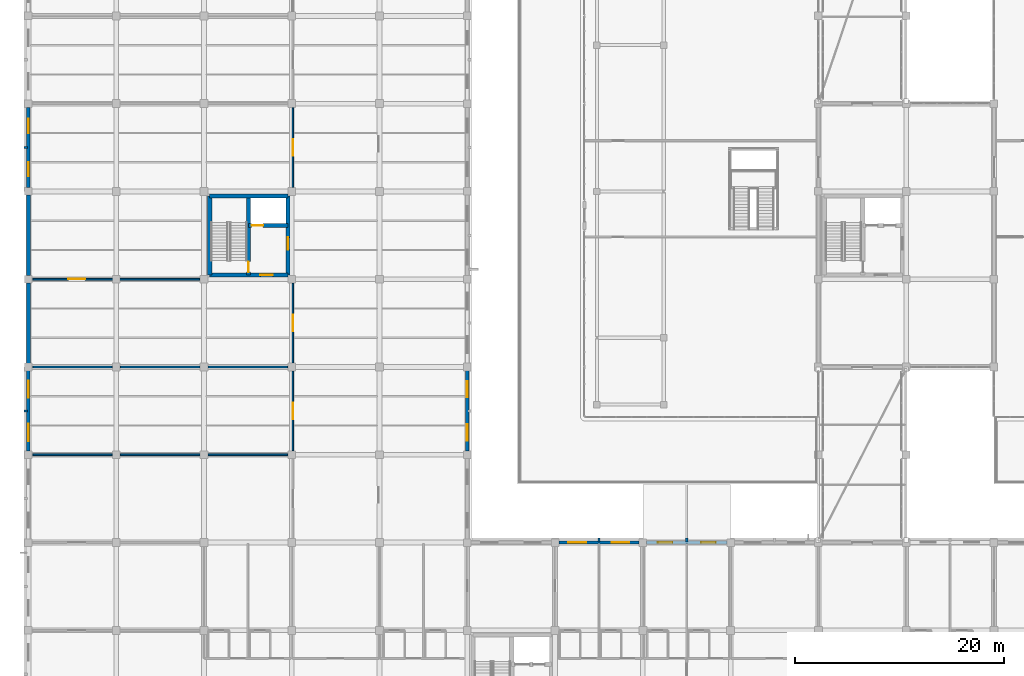
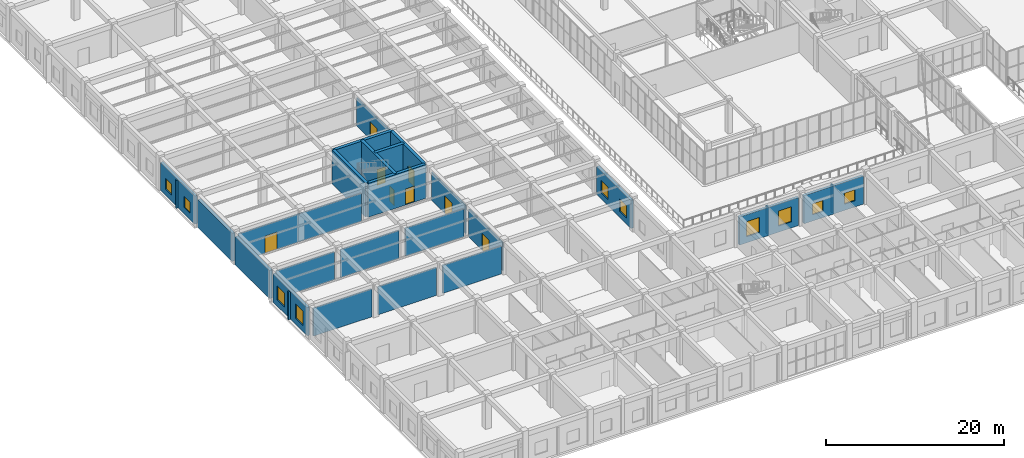
# One storey, part 118 of 158: 27 walls, 10 windows, 8 doors, 18 openings.
"""IFC4 building model written with IfcOpenShell, lengths in metres."""

from ifc_helpers import new_model, si_unit, direction, frame, frame_2d, origin, place, context, subcontext, project, spatial, rectangle, extrude, material, layer, layer_set, type_object, element, fill, save


model = new_model("IFC4")

# Units and contexts
model_context = context("Model", 3, precision=1e-05, world=origin(), true_north=direction((0.0, 1.0)))
body_context = subcontext(model_context, "Body", "Model", "MODEL_VIEW")
ifc_project = project(units=[si_unit("LENGTHUNIT", "METRE"), si_unit("AREAUNIT", "SQUARE_METRE"), si_unit("VOLUMEUNIT", "CUBIC_METRE"), si_unit("PLANEANGLEUNIT", "RADIAN"), si_unit("MASSUNIT", "GRAM", prefix="KILO")], contexts=[model_context])

# Site, building, storey
site_placement = place(None, origin())
site = spatial("IfcSite", under=ifc_project, at=site_placement, CompositionType="ELEMENT")
building_placement = place(site_placement, origin())
building = spatial("IfcBuilding", under=site, at=building_placement, Name="Trelvath General Hospital", CompositionType="ELEMENT")
storey_placement = place(building_placement, frame((0.0, 0.0, 8.10009765625)))
storey = spatial("IfcBuildingStorey", under=building, at=storey_placement, Name="L02", CompositionType="ELEMENT", Elevation=8.10009765625)

# Walls
ifc_material_1 = material(Name="Precast concrete C40/50", Category="concrete")
ifc_layer_1 = layer(ifc_material_1, 0.199951171875)
ifc_layer_set_1 = layer_set([ifc_layer_1], Name="Precast concrete C40/50")
wall_type_1 = type_object("IfcWallType", Name="BriseSoleilRib 200", PredefinedType="ELEMENTEDWALL", material=ifc_layer_set_1)
for number, where, z_axis, x_axis, name in (
    (1, (-0.074951171875, 37.800048828125, 0.0), (0.0, 0.0, 1.0), (-1.0, 0.0, 0.0), "Precast Concrete Brise-Soleil Rib Fin L02-164"),
    (2, (-0.074951171875, 63.0, 0.0), (0.0, 0.0, 1.0), (-1.0, 0.0, 0.0), "Precast Concrete Brise-Soleil Rib Fin L02-165"),
    (3, (54.60009765625, 25.27490234375, 0.0), (0.0, 0.0, 1.0), (0.0, 1.0, 0.0), "Precast Concrete Brise-Soleil Rib Fin L02-188"),
    (4, (63.0, 25.27490234375, 0.0), (0.0, 0.0, 1.0), (0.0, 1.0, 0.0), "Precast Concrete Brise-Soleil Rib Fin L02-192"),
):
    element("IfcWall", number, at=place(storey_placement, frame(where, z_axis=z_axis, x_axis=x_axis)), inside=storey, type_object=wall_type_1, Name=name, PredefinedType="ELEMENTEDWALL", context=body_context, shape_type="SweptSolid", body=[
        extrude(rectangle(XDim=0.340087890625, YDim=0.199951171875, at=frame_2d((0.169921875, 0.0))), origin(), (0.0, 0.0, 1.0), 3.83984375),
    ])

# Wall, opening, door
ifc_material_2 = material(Name="Gypsum acoustic steel-stud partition", Category="steel")
ifc_layer_2 = layer(ifc_material_2, 0.14990234375)
ifc_layer_set_2 = layer_set([ifc_layer_2], Name="Gypsum acoustic steel-stud partition")
wall_type_2 = type_object("IfcWallType", Name="ClinicalPartition 150", PredefinedType="PARTITIONING", material=ifc_layer_set_2)
wall_1_placement = place(storey_placement, frame((25.300048828125, 34.0, 0.0), z_axis=(0.0, 0.0, 1.0), x_axis=(0.0, 1.0, 0.0)))
wall_1 = element("IfcWall", 5, at=wall_1_placement, inside=storey, type_object=wall_type_2, Name="OR-4 Partition L02-1028", PredefinedType="PARTITIONING", context=body_context, shape_type="SweptSolid", body=[
    extrude(rectangle(XDim=7.60009765625, YDim=0.14990234375, at=frame_2d((3.800048828125, 0.0))), origin(), (0.0, 0.0, 1.0), 3.83984375),
])
opening_1_placement = place(wall_1_placement, frame((3.0, 0.0, 0.0)))
opening_1 = element("IfcOpeningElement", 6, at=opening_1_placement, cuts=wall_1, Name="Opening D-2-0799", PredefinedType="OPENING", context=body_context, shape_type="SweptSolid", body=[
    extrude(rectangle(XDim=1.60009765625, YDim=2.35009765625, at=frame_2d((0.800048828125, 1.175048828125))), frame((0.0, 0.0849609375, 0.0), z_axis=(0.0, -1.0, 0.0), x_axis=(1.0, 0.0, 0.0)), (0.0, 0.0, 1.0), 0.169921875),
])
ifc_material_3 = material(Name="Hermetic stainless surgical sliding door")
door_type_1 = type_object("IfcDoorType", Name="Door ORHermetic 1600x2350", OperationType="SLIDING_TO_LEFT", PredefinedType="DOOR", material=ifc_material_3)
door_1_placement = place(opening_1_placement, origin())
door_1 = element("IfcDoor", 7, at=door_1_placement, inside=storey, type_object=door_type_1, Name="OR-4 Door L02-799", OperationType="SLIDING_TO_LEFT", OverallHeight=2.35009765625, OverallWidth=1.60009765625, PredefinedType="DOOR", context=body_context, shape_type="SweptSolid", body=[
    extrude(rectangle(XDim=1.60009765625, YDim=2.35009765625, at=frame_2d((0.800048828125, 1.175048828125))), frame((0.0, 0.02490234375, 0.0), z_axis=(0.0, -1.0, 0.0), x_axis=(1.0, 0.0, 0.0)), (0.0, 0.0, 1.0), 0.050048828125),
])
fill(opening_1, door_1)

wall_2_placement = place(storey_placement, frame((25.300048828125, 42.39990234375, 0.0), z_axis=(0.0, 0.0, 1.0), x_axis=(0.0, 1.0, 0.0)))
wall_2 = element("IfcWall", 8, at=wall_2_placement, inside=storey, type_object=wall_type_2, Name="OR-5 Partition L02-1029", PredefinedType="PARTITIONING", context=body_context, shape_type="SweptSolid", body=[
    extrude(rectangle(XDim=7.60009765625, YDim=0.14990234375, at=frame_2d((3.800048828125, 0.0))), origin(), (0.0, 0.0, 1.0), 3.83984375),
])
opening_2_placement = place(wall_2_placement, frame((3.0, 0.0, 0.0)))
opening_2 = element("IfcOpeningElement", 9, at=opening_2_placement, cuts=wall_2, Name="Opening D-2-0800", PredefinedType="OPENING", context=body_context, shape_type="SweptSolid", body=[
    extrude(rectangle(XDim=1.60009765625, YDim=2.35009765625, at=frame_2d((0.800048828125, 1.175048828125))), frame((0.0, 0.0849609375, 0.0), z_axis=(0.0, -1.0, 0.0), x_axis=(1.0, 0.0, 0.0)), (0.0, 0.0, 1.0), 0.169921875),
])
door_2_placement = place(opening_2_placement, origin())
door_2 = element("IfcDoor", 10, at=door_2_placement, inside=storey, type_object=door_type_1, Name="OR-5 Door L02-800", OperationType="SLIDING_TO_LEFT", OverallHeight=2.35009765625, OverallWidth=1.60009765625, PredefinedType="DOOR", context=body_context, shape_type="SweptSolid", body=[
    extrude(rectangle(XDim=1.60009765625, YDim=2.35009765625, at=frame_2d((0.800048828125, 1.175048828125))), frame((0.0, 0.02490234375, 0.0), z_axis=(0.0, -1.0, 0.0), x_axis=(1.0, 0.0, 0.0)), (0.0, 0.0, 1.0), 0.050048828125),
])
fill(opening_2, door_2)

wall_3_placement = place(storey_placement, frame((0.419921875, 50.39990234375, 0.0), z_axis=(0.0, 0.0, 1.0), x_axis=(1.0, 0.0, 0.0)))
wall_3 = element("IfcWall", 11, at=wall_3_placement, inside=storey, type_object=wall_type_2, Name="OR-6 Partition L02-1030", PredefinedType="PARTITIONING", context=body_context, shape_type="SweptSolid", body=[
    extrude(rectangle(XDim=15.9599609375, YDim=0.14990234375, at=frame_2d((7.97998046875, 0.0))), origin(), (0.0, 0.0, 1.0), 3.83984375),
])
opening_3_placement = place(wall_3_placement, frame((3.39990234375, 0.0, 0.0)))
opening_3 = element("IfcOpeningElement", 12, at=opening_3_placement, cuts=wall_3, Name="Opening D-2-0801", PredefinedType="OPENING", context=body_context, shape_type="SweptSolid", body=[
    extrude(rectangle(XDim=1.60009765625, YDim=2.35009765625, at=frame_2d((0.800048828125, 1.175048828125))), frame((0.0, 0.0849609375, 0.0), z_axis=(0.0, -1.0, 0.0), x_axis=(1.0, 0.0, 0.0)), (0.0, 0.0, 1.0), 0.169921875),
])
door_3_placement = place(opening_3_placement, origin())
door_3 = element("IfcDoor", 13, at=door_3_placement, inside=storey, type_object=door_type_1, Name="OR-6 Door L02-801", OperationType="SLIDING_TO_LEFT", OverallHeight=2.35009765625, OverallWidth=1.60009765625, PredefinedType="DOOR", context=body_context, shape_type="SweptSolid", body=[
    extrude(rectangle(XDim=1.60009765625, YDim=2.35009765625, at=frame_2d((0.800048828125, 1.175048828125))), frame((0.0, 0.02490234375, 0.0), z_axis=(0.0, -1.0, 0.0), x_axis=(1.0, 0.0, 0.0)), (0.0, 0.0, 1.0), 0.050048828125),
])
fill(opening_3, door_3)

wall_4_placement = place(storey_placement, frame((25.300048828125, 59.199951171875, 0.0), z_axis=(0.0, 0.0, 1.0), x_axis=(0.0, 1.0, 0.0)))
wall_4 = element("IfcWall", 14, at=wall_4_placement, inside=storey, type_object=wall_type_2, Name="OR-7 Partition L02-1031", PredefinedType="PARTITIONING", context=body_context, shape_type="SweptSolid", body=[
    extrude(rectangle(XDim=7.60009765625, YDim=0.14990234375, at=frame_2d((3.800048828125, 0.0))), origin(), (0.0, 0.0, 1.0), 3.83984375),
])
opening_4_placement = place(wall_4_placement, frame((3.0, 0.0, 0.0)))
opening_4 = element("IfcOpeningElement", 15, at=opening_4_placement, cuts=wall_4, Name="Opening D-2-0802", PredefinedType="OPENING", context=body_context, shape_type="SweptSolid", body=[
    extrude(rectangle(XDim=1.60009765625, YDim=2.35009765625, at=frame_2d((0.800048828125, 1.175048828125))), frame((0.0, 0.0849609375, 0.0), z_axis=(0.0, -1.0, 0.0), x_axis=(1.0, 0.0, 0.0)), (0.0, 0.0, 1.0), 0.169921875),
])
door_4_placement = place(opening_4_placement, origin())
door_4 = element("IfcDoor", 16, at=door_4_placement, inside=storey, type_object=door_type_1, Name="OR-7 Door L02-802", OperationType="SLIDING_TO_LEFT", OverallHeight=2.35009765625, OverallWidth=1.60009765625, PredefinedType="DOOR", context=body_context, shape_type="SweptSolid", body=[
    extrude(rectangle(XDim=1.60009765625, YDim=2.35009765625, at=frame_2d((0.800048828125, 1.175048828125))), frame((0.0, 0.02490234375, 0.0), z_axis=(0.0, -1.0, 0.0), x_axis=(1.0, 0.0, 0.0)), (0.0, 0.0, 1.0), 0.050048828125),
])
fill(opening_4, door_4)

# Walls
wall_5_placement = place(storey_placement, frame((0.419921875, 33.60009765625, 0.0), z_axis=(0.0, 0.0, 1.0), x_axis=(1.0, 0.0, 0.0)))
element("IfcWall", 17, at=wall_5_placement, inside=storey, type_object=wall_type_2, Name="Sterile OR Dividing Partition 1033", PredefinedType="PARTITIONING", context=body_context, shape_type="SweptSolid", body=[
    extrude(rectangle(XDim=7.580078125, YDim=0.14990234375, at=frame_2d((3.7900390625, 0.0))), origin(), (0.0, 0.0, 1.0), 3.83984375),
])
wall_6_placement = place(storey_placement, frame((8.800048828125, 33.60009765625, 0.0), z_axis=(0.0, 0.0, 1.0), x_axis=(1.0, 0.0, 0.0)))
element("IfcWall", 18, at=wall_6_placement, inside=storey, type_object=wall_type_2, Name="Sterile OR Dividing Partition 1034", PredefinedType="PARTITIONING", context=body_context, shape_type="SweptSolid", body=[
    extrude(rectangle(XDim=7.599853515625, YDim=0.14990234375, at=frame_2d((3.7998046875, 0.0))), origin(), (0.0, 0.0, 1.0), 3.83984375),
])
wall_7_placement = place(storey_placement, frame((17.199951171875, 33.60009765625, 0.0), z_axis=(0.0, 0.0, 1.0), x_axis=(1.0, 0.0, 0.0)))
element("IfcWall", 19, at=wall_7_placement, inside=storey, type_object=wall_type_2, Name="Sterile OR Dividing Partition 1035", PredefinedType="PARTITIONING", context=body_context, shape_type="SweptSolid", body=[
    extrude(rectangle(XDim=7.60009765625, YDim=0.14990234375, at=frame_2d((3.800048828125, 0.0))), origin(), (0.0, 0.0, 1.0), 3.83984375),
])
wall_8_placement = place(storey_placement, frame((0.419921875, 42.0, 0.0), z_axis=(0.0, 0.0, 1.0), x_axis=(1.0, 0.0, 0.0)))
element("IfcWall", 20, at=wall_8_placement, inside=storey, type_object=wall_type_2, Name="Sterile OR Dividing Partition 1036", PredefinedType="PARTITIONING", context=body_context, shape_type="SweptSolid", body=[
    extrude(rectangle(XDim=7.580078125, YDim=0.14990234375, at=frame_2d((3.7900390625, 0.0))), origin(), (0.0, 0.0, 1.0), 3.83984375),
])
wall_9_placement = place(storey_placement, frame((8.800048828125, 42.0, 0.0), z_axis=(0.0, 0.0, 1.0), x_axis=(1.0, 0.0, 0.0)))
element("IfcWall", 21, at=wall_9_placement, inside=storey, type_object=wall_type_2, Name="Sterile OR Dividing Partition 1037", PredefinedType="PARTITIONING", context=body_context, shape_type="SweptSolid", body=[
    extrude(rectangle(XDim=7.599853515625, YDim=0.14990234375, at=frame_2d((3.7998046875, 0.0))), origin(), (0.0, 0.0, 1.0), 3.83984375),
])
wall_10_placement = place(storey_placement, frame((17.199951171875, 42.0, 0.0), z_axis=(0.0, 0.0, 1.0), x_axis=(1.0, 0.0, 0.0)))
element("IfcWall", 22, at=wall_10_placement, inside=storey, type_object=wall_type_2, Name="Sterile OR Dividing Partition 1038", PredefinedType="PARTITIONING", context=body_context, shape_type="SweptSolid", body=[
    extrude(rectangle(XDim=7.60009765625, YDim=0.14990234375, at=frame_2d((3.800048828125, 0.0))), origin(), (0.0, 0.0, 1.0), 3.83984375),
])

# Wall, opening, door
ifc_material_4 = material(Name="Concrete C40/50", Category="concrete")
ifc_layer_3 = layer(ifc_material_4, 0.39990234375)
ifc_layer_set_3 = layer_set([ifc_layer_3], Name="Concrete C40/50")
wall_type_3 = type_object("IfcWallType", Name="CoreShearWall 400", PredefinedType="SHEAR", material=ifc_layer_set_3)
wall_11_placement = place(storey_placement, frame((17.35009765625, 50.800048828125, 0.0), z_axis=(0.0, 0.0, 1.0), x_axis=(1.0, 0.0, 0.0)))
wall_11 = element("IfcWall", 23, at=wall_11_placement, inside=storey, type_object=wall_type_3, Name="Core Shear Wall C8 S L02", PredefinedType="SHEAR", context=body_context, shape_type="SweptSolid", body=[
    extrude(rectangle(XDim=7.5, YDim=0.39990234375, at=frame_2d((3.75, 0.0))), origin(), (0.0, 0.0, 1.0), 4.639892578125),
])
opening_5_placement = place(wall_11_placement, frame((4.85009765625, 0.0, 0.0)))
opening_5 = element("IfcOpeningElement", 24, at=opening_5_placement, cuts=wall_11, Name="Opening FD-LS82", PredefinedType="OPENING", context=body_context, shape_type="SweptSolid", body=[
    extrude(rectangle(XDim=1.199951171875, YDim=2.199951171875, at=frame_2d((0.60009765625, 1.10009765625))), frame((0.0, 0.2099609375, 0.0), z_axis=(0.0, -1.0, 0.0), x_axis=(1.0, 0.0, 0.0)), (0.0, 0.0, 1.0), 0.419921875),
])
ifc_material_5 = material(Name="Fire-rated steel door", Category="steel")
door_type_2 = type_object("IfcDoorType", Name="Door FireLobby 1200x2200", OperationType="NOTDEFINED", PredefinedType="DOOR", material=ifc_material_5)
door_5_placement = place(opening_5_placement, origin())
door_5 = element("IfcDoor", 25, at=door_5_placement, inside=storey, type_object=door_type_2, Name="Fire Lobby South Concourse Door C8 L02", OperationType="SINGLE_SWING_LEFT", OverallHeight=2.199951171875, OverallWidth=1.199951171875, PredefinedType="DOOR", context=body_context, shape_type="SweptSolid", body=[
    extrude(rectangle(XDim=1.199951171875, YDim=2.199951171875, at=frame_2d((0.60009765625, 1.10009765625))), frame((0.0, 0.02490234375, 0.0), z_axis=(0.0, -1.0, 0.0), x_axis=(1.0, 0.0, 0.0)), (0.0, 0.0, 1.0), 0.050048828125),
])
fill(opening_5, door_5)

# Walls
wall_12_placement = place(storey_placement, frame((17.35009765625, 58.35009765625, 0.0), z_axis=(0.0, 0.0, 1.0), x_axis=(1.0, 0.0, 0.0)))
element("IfcWall", 26, at=wall_12_placement, inside=storey, type_object=wall_type_3, Name="Core Shear Wall C8 N L02", PredefinedType="SHEAR", context=body_context, shape_type="SweptSolid", body=[
    extrude(rectangle(XDim=7.5, YDim=0.39990234375, at=frame_2d((3.75, 0.0))), origin(), (0.0, 0.0, 1.0), 4.639892578125),
])
wall_13_placement = place(storey_placement, frame((17.35009765625, 50.800048828125, 0.0), z_axis=(0.0, 0.0, 1.0), x_axis=(0.0, 1.0, 0.0)))
element("IfcWall", 27, at=wall_13_placement, inside=storey, type_object=wall_type_3, Name="Core Shear Wall C8 W L02", PredefinedType="SHEAR", context=body_context, shape_type="SweptSolid", body=[
    extrude(rectangle(XDim=7.550048828125, YDim=0.39990234375, at=frame_2d((3.77490234375, 0.0))), origin(), (0.0, 0.0, 1.0), 4.639892578125),
])

# Wall, opening, door
wall_14_placement = place(storey_placement, frame((24.85009765625, 50.800048828125, 0.0), z_axis=(0.0, 0.0, 1.0), x_axis=(0.0, 1.0, 0.0)))
wall_14 = element("IfcWall", 28, at=wall_14_placement, inside=storey, type_object=wall_type_3, Name="Core Shear Wall C8 E L02", PredefinedType="SHEAR", context=body_context, shape_type="SweptSolid", body=[
    extrude(rectangle(XDim=7.550048828125, YDim=0.39990234375, at=frame_2d((3.77490234375, 0.0))), origin(), (0.0, 0.0, 1.0), 4.639892578125),
])
opening_6_placement = place(wall_14_placement, frame((2.39990234375, 0.0, 0.0)))
opening_6 = element("IfcOpeningElement", 29, at=opening_6_placement, cuts=wall_14, Name="Opening FD-LE82", PredefinedType="OPENING", context=body_context, shape_type="SweptSolid", body=[
    extrude(rectangle(XDim=1.199951171875, YDim=2.199951171875, at=frame_2d((0.60009765625, 1.10009765625))), frame((0.0, 0.2099609375, 0.0), z_axis=(0.0, -1.0, 0.0), x_axis=(1.0, 0.0, 0.0)), (0.0, 0.0, 1.0), 0.419921875),
])
door_6_placement = place(opening_6_placement, origin())
door_6 = element("IfcDoor", 30, at=door_6_placement, inside=storey, type_object=door_type_2, Name="Fire Lobby East Corridor Door C8 L02", OperationType="SINGLE_SWING_RIGHT", OverallHeight=2.199951171875, OverallWidth=1.199951171875, PredefinedType="DOOR", context=body_context, shape_type="SweptSolid", body=[
    extrude(rectangle(XDim=1.199951171875, YDim=2.199951171875, at=frame_2d((0.60009765625, 1.10009765625))), frame((0.0, 0.02490234375, 0.0), z_axis=(0.0, -1.0, 0.0), x_axis=(1.0, 0.0, 0.0)), (0.0, 0.0, 1.0), 0.050048828125),
])
fill(opening_6, door_6)

wall_15_placement = place(storey_placement, frame((21.050048828125, 50.800048828125, 0.0), z_axis=(0.0, 0.0, 1.0), x_axis=(0.0, 1.0, 0.0)))
wall_15 = element("IfcWall", 31, at=wall_15_placement, inside=storey, type_object=wall_type_3, Name="Core Shear Wall C8 SPINE L02", PredefinedType="SHEAR", context=body_context, shape_type="SweptSolid", body=[
    extrude(rectangle(XDim=7.550048828125, YDim=0.39990234375, at=frame_2d((3.77490234375, 0.0))), origin(), (0.0, 0.0, 1.0), 4.639892578125),
])
opening_7_placement = place(wall_15_placement, frame((0.280029296875, 0.0, 0.0)))
opening_7 = element("IfcOpeningElement", 32, at=opening_7_placement, cuts=wall_15, Name="Opening FD-S82", PredefinedType="OPENING", context=body_context, shape_type="SweptSolid", body=[
    extrude(rectangle(XDim=1.0, YDim=2.14990234375, at=frame_2d((0.5, 1.074951171875))), frame((0.0, 0.2099609375, 0.0), z_axis=(0.0, -1.0, 0.0), x_axis=(1.0, 0.0, 0.0)), (0.0, 0.0, 1.0), 0.419921875),
])
ifc_material_6 = material(Name="Fire-rated steel door", Category="steel")
door_type_3 = type_object("IfcDoorType", Name="Door FireStair 1100x2150", OperationType="NOTDEFINED", PredefinedType="DOOR", material=ifc_material_6)
door_7_placement = place(opening_7_placement, origin())
door_7 = element("IfcDoor", 33, at=door_7_placement, inside=storey, type_object=door_type_3, Name="Exit Stair Door ST8 L02", OperationType="SINGLE_SWING_RIGHT", OverallHeight=2.14990234375, OverallWidth=1.0, PredefinedType="DOOR", context=body_context, shape_type="SweptSolid", body=[
    extrude(rectangle(XDim=1.0, YDim=2.14990234375, at=frame_2d((0.5, 1.074951171875))), frame((0.0, 0.02490234375, 0.0), z_axis=(0.0, -1.0, 0.0), x_axis=(1.0, 0.0, 0.0)), (0.0, 0.0, 1.0), 0.050048828125),
])
fill(opening_7, door_7)

wall_16_placement = place(storey_placement, frame((21.050048828125, 55.550048828125, 0.0), z_axis=(0.0, 0.0, 1.0), x_axis=(1.0, 0.0, 0.0)))
wall_16 = element("IfcWall", 34, at=wall_16_placement, inside=storey, type_object=wall_type_3, Name="Core Shear Wall C8 SHAFT L02", PredefinedType="SHEAR", context=body_context, shape_type="SweptSolid", body=[
    extrude(rectangle(XDim=3.800048828125, YDim=0.39990234375, at=frame_2d((1.89990234375, 0.0))), origin(), (0.0, 0.0, 1.0), 4.639892578125),
])
opening_8_placement = place(wall_16_placement, frame((0.320068359375, 0.0, 0.0)))
opening_8 = element("IfcOpeningElement", 35, at=opening_8_placement, cuts=wall_16, Name="Opening LD-SL1-2", PredefinedType="OPENING", context=body_context, shape_type="SweptSolid", body=[
    extrude(rectangle(XDim=1.10009765625, YDim=2.14990234375, at=frame_2d((0.550048828125, 1.074951171875))), frame((0.0, 0.2099609375, 0.0), z_axis=(0.0, -1.0, 0.0), x_axis=(1.0, 0.0, 0.0)), (0.0, 0.0, 1.0), 0.419921875),
])
ifc_material_7 = material(Name="Stainless steel lift landing sliding door", Category="steel")
door_type_4 = type_object("IfcDoorType", Name="Door LiftLanding 1100x2150", OperationType="SLIDING_TO_LEFT", PredefinedType="DOOR", material=ifc_material_7)
door_8_placement = place(opening_8_placement, origin())
door_8 = element("IfcDoor", 36, at=door_8_placement, inside=storey, type_object=door_type_4, Name="Lift Landing Sliding Door LF-SL1 L02", OperationType="SLIDING_TO_LEFT", OverallHeight=2.14990234375, OverallWidth=1.10009765625, PredefinedType="DOOR", context=body_context, shape_type="SweptSolid", body=[
    extrude(rectangle(XDim=1.10009765625, YDim=2.14990234375, at=frame_2d((0.550048828125, 1.074951171875))), frame((0.0, 0.02490234375, 0.0), z_axis=(0.0, -1.0, 0.0), x_axis=(1.0, 0.0, 0.0)), (0.0, 0.0, 1.0), 0.050048828125),
])
fill(opening_8, door_8)

# Wall, openings, windows
ifc_material_8 = material(Name="Concrete C35/45", Category="concrete")
ifc_layer_4 = layer(ifc_material_8, 0.320068359375)
ifc_layer_set_4 = layer_set([ifc_layer_4], Name="Concrete C35/45")
wall_type_4 = type_object("IfcWallType", Name="ExtThermalWall 320", PredefinedType="SOLIDWALL", material=ifc_layer_set_4)
wall_17_placement = place(storey_placement, frame((0.0, 33.955078125, 0.0), z_axis=(0.0, 0.0, 1.0), x_axis=(0.0, 1.0, 0.0)))
wall_17 = element("IfcWall", 37, at=wall_17_placement, inside=storey, type_object=wall_type_4, Name="Exterior Concrete Wall L02-225", PredefinedType="SOLIDWALL", context=body_context, shape_type="SweptSolid", body=[
    extrude(rectangle(XDim=7.68994140625, YDim=0.320068359375, at=frame_2d((3.844970703125, 0.0))), origin(), (0.0, 0.0, 1.0), 3.85986328125),
])
opening_9_placement = place(wall_17_placement, frame((0.938720703125, 0.0, 0.85009765625)))
opening_9 = element("IfcOpeningElement", 38, at=opening_9_placement, cuts=wall_17, Name="Opening WN-2-351", PredefinedType="OPENING", context=body_context, shape_type="SweptSolid", body=[
    extrude(rectangle(XDim=1.659912109375, YDim=1.949951171875, at=frame_2d((0.830078125, 0.97509765625))), frame((0.0, 0.169921875, 0.0), z_axis=(0.0, -1.0, 0.0), x_axis=(1.0, 0.0, 0.0)), (0.0, 0.0, 1.0), 0.340087890625),
])
opening_10_placement = place(wall_17_placement, frame((5.09130859375, 0.0, 0.85009765625)))
opening_10 = element("IfcOpeningElement", 39, at=opening_10_placement, cuts=wall_17, Name="Opening WN-2-352", PredefinedType="OPENING", context=body_context, shape_type="SweptSolid", body=[
    extrude(rectangle(XDim=1.659912109375, YDim=1.949951171875, at=frame_2d((0.830078125, 0.97509765625))), frame((0.0, 0.169921875, 0.0), z_axis=(0.0, -1.0, 0.0), x_axis=(1.0, 0.0, 0.0)), (0.0, 0.0, 1.0), 0.340087890625),
])
ifc_material_9 = material(Name="Low-E laminated glass", Category="glass")
window_type_1 = type_object("IfcWindowType", Name="Window Dayroom 1660x1950", PartitioningType="DOUBLE_PANEL_VERTICAL", PredefinedType="WINDOW", material=ifc_material_9)
window_1_placement = place(opening_9_placement, origin())
window_1 = element("IfcWindow", 40, at=window_1_placement, inside=storey, type_object=window_type_1, Name="Solar Reveal Window L02-351", OverallHeight=1.949951171875, OverallWidth=1.659912109375, PartitioningType="SINGLE_PANEL", PredefinedType="WINDOW", context=body_context, shape_type="SweptSolid", body=[
    extrude(rectangle(XDim=1.659912109375, YDim=1.949951171875, at=frame_2d((0.830078125, 0.97509765625))), frame((0.0, 0.030029296875, 0.0), z_axis=(0.0, -1.0, 0.0), x_axis=(1.0, 0.0, 0.0)), (0.0, 0.0, 1.0), 0.06005859375),
])
fill(opening_9, window_1)
window_2_placement = place(opening_10_placement, origin())
window_2 = element("IfcWindow", 41, at=window_2_placement, inside=storey, type_object=window_type_1, Name="Solar Reveal Window L02-352", OverallHeight=1.949951171875, OverallWidth=1.659912109375, PartitioningType="SINGLE_PANEL", PredefinedType="WINDOW", context=body_context, shape_type="SweptSolid", body=[
    extrude(rectangle(XDim=1.659912109375, YDim=1.949951171875, at=frame_2d((0.830078125, 0.97509765625))), frame((0.0, 0.030029296875, 0.0), z_axis=(0.0, -1.0, 0.0), x_axis=(1.0, 0.0, 0.0)), (0.0, 0.0, 1.0), 0.06005859375),
])
fill(opening_10, window_2)

wall_18_placement = place(storey_placement, frame((0.0, 59.155029296875, 0.0), z_axis=(0.0, 0.0, 1.0), x_axis=(0.0, 1.0, 0.0)))
wall_18 = element("IfcWall", 42, at=wall_18_placement, inside=storey, type_object=wall_type_4, Name="Exterior Concrete Wall L02-228", PredefinedType="SOLIDWALL", context=body_context, shape_type="SweptSolid", body=[
    extrude(rectangle(XDim=7.68994140625, YDim=0.320068359375, at=frame_2d((3.844970703125, 0.0))), origin(), (0.0, 0.0, 1.0), 3.85986328125),
])
opening_11_placement = place(wall_18_placement, frame((1.07861328125, 0.0, 0.85009765625)))
opening_11 = element("IfcOpeningElement", 43, at=opening_11_placement, cuts=wall_18, Name="Opening WN-2-353", PredefinedType="OPENING", context=body_context, shape_type="SweptSolid", body=[
    extrude(rectangle(XDim=1.3798828125, YDim=1.5, at=frame_2d((0.68994140625, 0.75))), frame((0.0, 0.169921875, 0.0), z_axis=(0.0, -1.0, 0.0), x_axis=(1.0, 0.0, 0.0)), (0.0, 0.0, 1.0), 0.340087890625),
])
opening_12_placement = place(wall_18_placement, frame((5.231201171875, 0.0, 0.85009765625)))
opening_12 = element("IfcOpeningElement", 44, at=opening_12_placement, cuts=wall_18, Name="Opening WN-2-354", PredefinedType="OPENING", context=body_context, shape_type="SweptSolid", body=[
    extrude(rectangle(XDim=1.3798828125, YDim=1.5, at=frame_2d((0.68994140625, 0.75))), frame((0.0, 0.169921875, 0.0), z_axis=(0.0, -1.0, 0.0), x_axis=(1.0, 0.0, 0.0)), (0.0, 0.0, 1.0), 0.340087890625),
])
ifc_material_10 = material(Name="Low-E laminated glass", Category="glass")
window_type_2 = type_object("IfcWindowType", Name="Window Admin 1380x1500", PartitioningType="SINGLE_PANEL", PredefinedType="WINDOW", material=ifc_material_10)
window_3_placement = place(opening_11_placement, origin())
window_3 = element("IfcWindow", 45, at=window_3_placement, inside=storey, type_object=window_type_2, Name="Solar Reveal Window L02-353", OverallHeight=1.5, OverallWidth=1.3798828125, PartitioningType="SINGLE_PANEL", PredefinedType="WINDOW", context=body_context, shape_type="SweptSolid", body=[
    extrude(rectangle(XDim=1.3798828125, YDim=1.5, at=frame_2d((0.68994140625, 0.75))), frame((0.0, 0.030029296875, 0.0), z_axis=(0.0, -1.0, 0.0), x_axis=(1.0, 0.0, 0.0)), (0.0, 0.0, 1.0), 0.06005859375),
])
fill(opening_11, window_3)
window_4_placement = place(opening_12_placement, origin())
window_4 = element("IfcWindow", 46, at=window_4_placement, inside=storey, type_object=window_type_2, Name="Solar Reveal Window L02-354", OverallHeight=1.5, OverallWidth=1.3798828125, PartitioningType="SINGLE_PANEL", PredefinedType="WINDOW", context=body_context, shape_type="SweptSolid", body=[
    extrude(rectangle(XDim=1.3798828125, YDim=1.5, at=frame_2d((0.68994140625, 0.75))), frame((0.0, 0.030029296875, 0.0), z_axis=(0.0, -1.0, 0.0), x_axis=(1.0, 0.0, 0.0)), (0.0, 0.0, 1.0), 0.06005859375),
])
fill(opening_12, window_4)

wall_19_placement = place(storey_placement, frame((42.0, 41.64501953125, 0.0), z_axis=(0.0, 0.0, 1.0), x_axis=(0.0, -1.0, 0.0)))
wall_19 = element("IfcWall", 47, at=wall_19_placement, inside=storey, type_object=wall_type_4, Name="Exterior Concrete Wall L02-244", PredefinedType="SOLIDWALL", context=body_context, shape_type="SweptSolid", body=[
    extrude(rectangle(XDim=7.68994140625, YDim=0.320068359375, at=frame_2d((3.844970703125, 0.0))), origin(), (0.0, 0.0, 1.0), 3.85986328125),
])
opening_13_placement = place(wall_19_placement, frame((0.98876953125, 0.0, 0.85009765625)))
opening_13 = element("IfcOpeningElement", 48, at=opening_13_placement, cuts=wall_19, Name="Opening WN-2-385", PredefinedType="OPENING", context=body_context, shape_type="SweptSolid", body=[
    extrude(rectangle(XDim=1.56005859375, YDim=1.699951171875, at=frame_2d((0.780029296875, 0.85009765625))), frame((0.0, 0.169921875, 0.0), z_axis=(0.0, -1.0, 0.0), x_axis=(1.0, 0.0, 0.0)), (0.0, 0.0, 1.0), 0.340087890625),
])
opening_14_placement = place(wall_19_placement, frame((5.141357421875, 0.0, 0.85009765625)))
opening_14 = element("IfcOpeningElement", 49, at=opening_14_placement, cuts=wall_19, Name="Opening WN-2-386", PredefinedType="OPENING", context=body_context, shape_type="SweptSolid", body=[
    extrude(rectangle(XDim=1.56005859375, YDim=1.699951171875, at=frame_2d((0.780029296875, 0.85009765625))), frame((0.0, 0.169921875, 0.0), z_axis=(0.0, -1.0, 0.0), x_axis=(1.0, 0.0, 0.0)), (0.0, 0.0, 1.0), 0.340087890625),
])
ifc_material_11 = material(Name="Low-E laminated glass", Category="glass")
window_type_3 = type_object("IfcWindowType", Name="Window Dialysis 1560x1700", PartitioningType="DOUBLE_PANEL_VERTICAL", PredefinedType="WINDOW", material=ifc_material_11)
window_5_placement = place(opening_13_placement, origin())
window_5 = element("IfcWindow", 50, at=window_5_placement, inside=storey, type_object=window_type_3, Name="Solar Reveal Window L02-385", OverallHeight=1.699951171875, OverallWidth=1.56005859375, PartitioningType="SINGLE_PANEL", PredefinedType="WINDOW", context=body_context, shape_type="SweptSolid", body=[
    extrude(rectangle(XDim=1.56005859375, YDim=1.699951171875, at=frame_2d((0.780029296875, 0.85009765625))), frame((0.0, 0.030029296875, 0.0), z_axis=(0.0, -1.0, 0.0), x_axis=(1.0, 0.0, 0.0)), (0.0, 0.0, 1.0), 0.06005859375),
])
fill(opening_13, window_5)
window_6_placement = place(opening_14_placement, origin())
window_6 = element("IfcWindow", 51, at=window_6_placement, inside=storey, type_object=window_type_3, Name="Solar Reveal Window L02-386", OverallHeight=1.699951171875, OverallWidth=1.56005859375, PartitioningType="SINGLE_PANEL", PredefinedType="WINDOW", context=body_context, shape_type="SweptSolid", body=[
    extrude(rectangle(XDim=1.56005859375, YDim=1.699951171875, at=frame_2d((0.780029296875, 0.85009765625))), frame((0.0, 0.030029296875, 0.0), z_axis=(0.0, -1.0, 0.0), x_axis=(1.0, 0.0, 0.0)), (0.0, 0.0, 1.0), 0.06005859375),
])
fill(opening_14, window_6)

wall_20_placement = place(storey_placement, frame((50.7548828125, 25.199951171875, 0.0), z_axis=(0.0, 0.0, 1.0), x_axis=(1.0, 0.0, 0.0)))
wall_20 = element("IfcWall", 52, at=wall_20_placement, inside=storey, type_object=wall_type_4, Name="Exterior Concrete Wall L02-255", PredefinedType="SOLIDWALL", context=body_context, shape_type="SweptSolid", body=[
    extrude(rectangle(XDim=7.690185546875, YDim=0.320068359375, at=frame_2d((3.84521484375, 0.0))), origin(), (0.0, 0.0, 1.0), 3.85986328125),
])
opening_15_placement = place(wall_20_placement, frame((0.9287109375, 0.0, 0.85009765625)))
opening_15 = element("IfcOpeningElement", 53, at=opening_15_placement, cuts=wall_20, Name="Opening WN-2-407", PredefinedType="OPENING", context=body_context, shape_type="SweptSolid", body=[
    extrude(rectangle(XDim=1.679931640625, YDim=2.050048828125, at=frame_2d((0.83984375, 1.02490234375))), frame((0.0, 0.169921875, 0.0), z_axis=(0.0, -1.0, 0.0), x_axis=(1.0, 0.0, 0.0)), (0.0, 0.0, 1.0), 0.340087890625),
])
opening_16_placement = place(wall_20_placement, frame((5.081298828125, 0.0, 0.85009765625)))
opening_16 = element("IfcOpeningElement", 54, at=opening_16_placement, cuts=wall_20, Name="Opening WN-2-408", PredefinedType="OPENING", context=body_context, shape_type="SweptSolid", body=[
    extrude(rectangle(XDim=1.679931640625, YDim=2.050048828125, at=frame_2d((0.83984375, 1.02490234375))), frame((0.0, 0.169921875, 0.0), z_axis=(0.0, -1.0, 0.0), x_axis=(1.0, 0.0, 0.0)), (0.0, 0.0, 1.0), 0.340087890625),
])
ifc_material_12 = material(Name="Low-E laminated glass", Category="glass")
window_type_4 = type_object("IfcWindowType", Name="Window Cafe 1680x2050", PartitioningType="DOUBLE_PANEL_VERTICAL", PredefinedType="WINDOW", material=ifc_material_12)
window_7_placement = place(opening_15_placement, origin())
window_7 = element("IfcWindow", 55, at=window_7_placement, inside=storey, type_object=window_type_4, Name="Solar Reveal Window L02-407", OverallHeight=2.050048828125, OverallWidth=1.679931640625, PartitioningType="SINGLE_PANEL", PredefinedType="WINDOW", context=body_context, shape_type="SweptSolid", body=[
    extrude(rectangle(XDim=1.679931640625, YDim=2.050048828125, at=frame_2d((0.83984375, 1.02490234375))), frame((0.0, 0.030029296875, 0.0), z_axis=(0.0, -1.0, 0.0), x_axis=(1.0, 0.0, 0.0)), (0.0, 0.0, 1.0), 0.06005859375),
])
fill(opening_15, window_7)
window_8_placement = place(opening_16_placement, origin())
window_8 = element("IfcWindow", 56, at=window_8_placement, inside=storey, type_object=window_type_4, Name="Solar Reveal Window L02-408", OverallHeight=2.050048828125, OverallWidth=1.679931640625, PartitioningType="SINGLE_PANEL", PredefinedType="WINDOW", context=body_context, shape_type="SweptSolid", body=[
    extrude(rectangle(XDim=1.679931640625, YDim=2.050048828125, at=frame_2d((0.83984375, 1.02490234375))), frame((0.0, 0.030029296875, 0.0), z_axis=(0.0, -1.0, 0.0), x_axis=(1.0, 0.0, 0.0)), (0.0, 0.0, 1.0), 0.06005859375),
])
fill(opening_16, window_8)

wall_21_placement = place(storey_placement, frame((59.155029296875, 25.199951171875, 0.0), z_axis=(0.0, 0.0, 1.0), x_axis=(1.0, 0.0, 0.0)))
wall_21 = element("IfcWall", 57, at=wall_21_placement, inside=storey, type_object=wall_type_4, Name="Exterior Concrete Wall L02-259", PredefinedType="SOLIDWALL", context=body_context, shape_type="SweptSolid", body=[
    extrude(rectangle(XDim=7.68994140625, YDim=0.320068359375, at=frame_2d((3.844970703125, 0.0))), origin(), (0.0, 0.0, 1.0), 3.85986328125),
])
opening_17_placement = place(wall_21_placement, frame((1.07861328125, 0.0, 0.85009765625)))
opening_17 = element("IfcOpeningElement", 58, at=opening_17_placement, cuts=wall_21, Name="Opening WN-2-415", PredefinedType="OPENING", context=body_context, shape_type="SweptSolid", body=[
    extrude(rectangle(XDim=1.3798828125, YDim=1.5, at=frame_2d((0.68994140625, 0.75))), frame((0.0, 0.169921875, 0.0), z_axis=(0.0, -1.0, 0.0), x_axis=(1.0, 0.0, 0.0)), (0.0, 0.0, 1.0), 0.340087890625),
])
opening_18_placement = place(wall_21_placement, frame((5.231201171875, 0.0, 0.85009765625)))
opening_18 = element("IfcOpeningElement", 59, at=opening_18_placement, cuts=wall_21, Name="Opening WN-2-416", PredefinedType="OPENING", context=body_context, shape_type="SweptSolid", body=[
    extrude(rectangle(XDim=1.3798828125, YDim=1.5, at=frame_2d((0.68994140625, 0.75))), frame((0.0, 0.169921875, 0.0), z_axis=(0.0, -1.0, 0.0), x_axis=(1.0, 0.0, 0.0)), (0.0, 0.0, 1.0), 0.340087890625),
])
window_9_placement = place(opening_17_placement, origin())
window_9 = element("IfcWindow", 60, at=window_9_placement, inside=storey, type_object=window_type_2, Name="Solar Reveal Window L02-415", OverallHeight=1.5, OverallWidth=1.3798828125, PartitioningType="SINGLE_PANEL", PredefinedType="WINDOW", context=body_context, shape_type="SweptSolid", body=[
    extrude(rectangle(XDim=1.3798828125, YDim=1.5, at=frame_2d((0.68994140625, 0.75))), frame((0.0, 0.030029296875, 0.0), z_axis=(0.0, -1.0, 0.0), x_axis=(1.0, 0.0, 0.0)), (0.0, 0.0, 1.0), 0.06005859375),
])
fill(opening_17, window_9)
window_10_placement = place(opening_18_placement, origin())
window_10 = element("IfcWindow", 61, at=window_10_placement, inside=storey, type_object=window_type_2, Name="Solar Reveal Window L02-416", OverallHeight=1.5, OverallWidth=1.3798828125, PartitioningType="SINGLE_PANEL", PredefinedType="WINDOW", context=body_context, shape_type="SweptSolid", body=[
    extrude(rectangle(XDim=1.3798828125, YDim=1.5, at=frame_2d((0.68994140625, 0.75))), frame((0.0, 0.030029296875, 0.0), z_axis=(0.0, -1.0, 0.0), x_axis=(1.0, 0.0, 0.0)), (0.0, 0.0, 1.0), 0.06005859375),
])
fill(opening_18, window_10)

# Walls
ifc_material_13 = material(Name="Concrete C35/45", Category="concrete")
ifc_layer_5 = layer(ifc_material_13, 0.3798828125)
ifc_layer_set_5 = layer_set([ifc_layer_5], Name="Concrete C35/45")
wall_type_5 = type_object("IfcWallType", Name="PartyWall Concrete380", PredefinedType="SOLIDWALL", material=ifc_layer_set_5)
wall_22_placement = place(storey_placement, frame((0.0, 42.35498046875, 0.0), z_axis=(0.0, 0.0, 1.0), x_axis=(0.0, 1.0, 0.0)))
element("IfcWall", 62, at=wall_22_placement, inside=storey, type_object=wall_type_5, Name="West Party Concrete Wall L02-226", PredefinedType="SOLIDWALL", context=body_context, shape_type="SweptSolid", body=[
    extrude(rectangle(XDim=7.68994140625, YDim=0.3798828125, at=frame_2d((3.844970703125, 0.0))), origin(), (0.0, 0.0, 1.0), 3.85986328125),
])
wall_23_placement = place(storey_placement, frame((0.0, 50.7548828125, 0.0), z_axis=(0.0, 0.0, 1.0), x_axis=(0.0, 1.0, 0.0)))
element("IfcWall", 63, at=wall_23_placement, inside=storey, type_object=wall_type_5, Name="West Party Concrete Wall L02-227", PredefinedType="SOLIDWALL", context=body_context, shape_type="SweptSolid", body=[
    extrude(rectangle(XDim=7.690185546875, YDim=0.3798828125, at=frame_2d((3.84521484375, 0.0))), origin(), (0.0, 0.0, 1.0), 3.85986328125),
])

save(model, "model.ifc")
